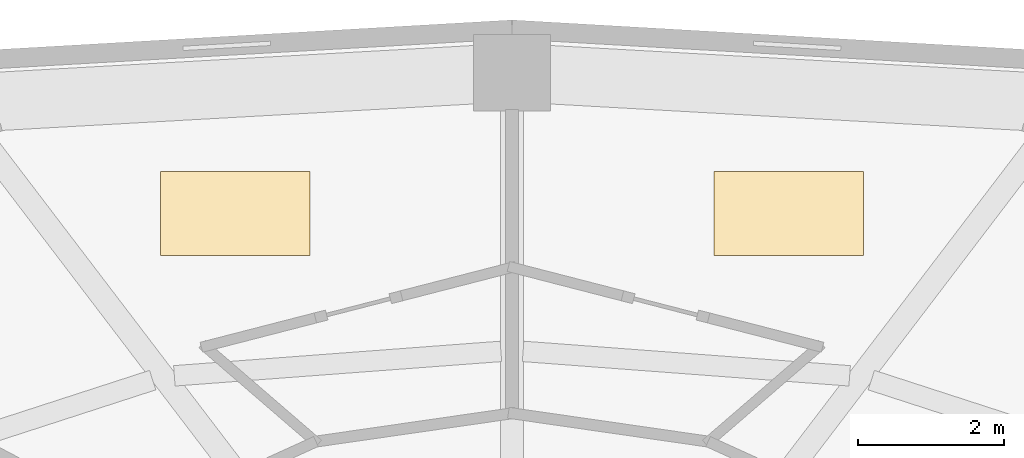
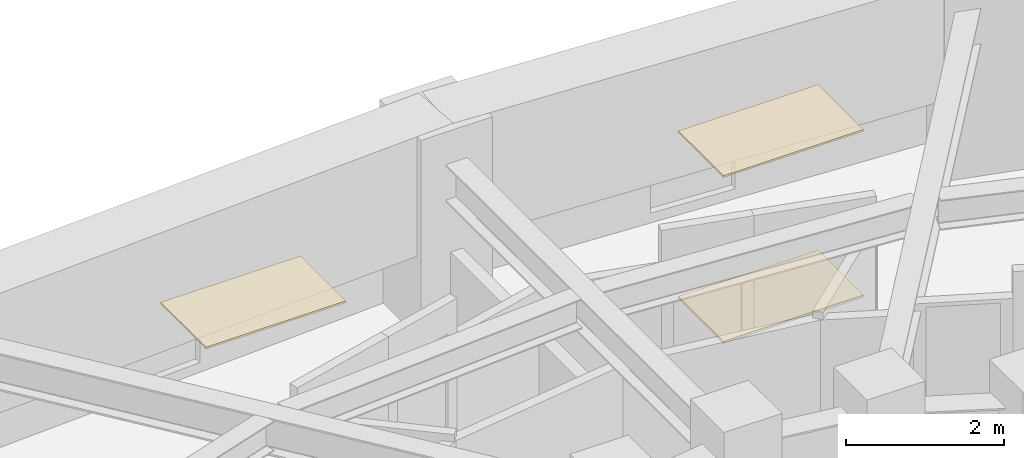
# One storey, part 14 of 14: 3 coverings.
"""IFC4 building model written with IfcOpenShell, lengths in metres."""

from ifc_helpers import new_model, si_unit, direction, frame, origin, place, context, subcontext, project, spatial, polyline, outline, extrude, material, layer, layer_set, type_object, element, save


model = new_model("IFC4")

# Units and contexts
model_context = context("Model", 3, precision=1e-05, world=origin(), true_north=direction((0.0, 1.0)))
body_context = subcontext(model_context, "Body", "Model", "MODEL_VIEW")
ifc_project = project(units=[si_unit("LENGTHUNIT", "METRE"), si_unit("AREAUNIT", "SQUARE_METRE"), si_unit("VOLUMEUNIT", "CUBIC_METRE"), si_unit("PLANEANGLEUNIT", "RADIAN"), si_unit("MASSUNIT", "GRAM", prefix="KILO")], contexts=[model_context])

# Site, building, storey
site_placement = place(None, origin())
site = spatial("IfcSite", under=ifc_project, at=site_placement, CompositionType="ELEMENT")
building_placement = place(site_placement, origin())
building = spatial("IfcBuilding", under=site, at=building_placement, Name="Solvane Sanctuary Tower", CompositionType="ELEMENT")
storey_placement = place(building_placement, frame((0.0, 0.0, 91.800048828125)))
storey = spatial("IfcBuildingStorey", under=building, at=storey_placement, Name="L27", CompositionType="ELEMENT", Elevation=91.800048828125)

# Coverings
ifc_material_1 = material(Name="Acoustic Gypsum Partition Board")
ifc_layer_1 = layer(ifc_material_1, 0.02490234375, Name="Acoustic Gypsum Partition Board")
ifc_layer_set_1 = layer_set([ifc_layer_1], Name="Acoustic Gypsum Partition Board")
covering_type_1 = type_object("IfcCoveringType", Name="Covering CLG-ACOUST", PredefinedType="CEILING", material=ifc_layer_set_1)
covering_1_placement = place(storey_placement, frame((0.0, 0.0, 2.570068359375)))
element("IfcCovering", 1, at=covering_1_placement, inside=storey, type_object=covering_type_1, Name="L27 Unit Acoustic Ceiling Panel 1", PredefinedType="CEILING", context=body_context, shape_type="SweptSolid", body=[
    extrude(outline(polyline([(34.76708984375, 36.575927734375), (36.81689453125, 36.575927734375), (36.81689453125, 37.72607421875), (34.76708984375, 37.72607421875), (34.76708984375, 36.575927734375)])), origin(), (0.0, 0.0, 1.0), 0.02978515625),
])
covering_2_placement = place(storey_placement, frame((0.0, 0.0, 2.570068359375)))
element("IfcCovering", 2, at=covering_2_placement, inside=storey, type_object=covering_type_1, Name="L27 Unit Acoustic Ceiling Panel 2", PredefinedType="CEILING", context=body_context, shape_type="SweptSolid", body=[
    extrude(outline(polyline([(27.18310546875, 36.575927734375), (29.23291015625, 36.575927734375), (29.23291015625, 37.72607421875), (27.18310546875, 37.72607421875), (27.18310546875, 36.575927734375)])), origin(), (0.0, 0.0, 1.0), 0.02978515625),
])
ifc_material_2 = material(Name="Ceramic Tile Finish")
ifc_layer_2 = layer(ifc_material_2, 0.030029296875, Name="Ceramic Tile Finish")
ifc_layer_set_2 = layer_set([ifc_layer_2], Name="Ceramic Tile Finish")
covering_type_2 = type_object("IfcCoveringType", Name="Covering FLR-TERRAZZO", PredefinedType="FLOORING", material=ifc_layer_set_2)
covering_3_placement = place(storey_placement, origin())
element("IfcCovering", 3, at=covering_3_placement, inside=storey, type_object=covering_type_2, Name="L27 Unit Terrazzo Inlay 1", PredefinedType="FLOORING", context=body_context, shape_type="SweptSolid", body=[
    extrude(outline(polyline([(34.76708984375, 36.575927734375), (36.81689453125, 36.575927734375), (36.81689453125, 37.72607421875), (34.76708984375, 37.72607421875), (34.76708984375, 36.575927734375)])), origin(), (0.0, 0.0, 1.0), 0.034912109375),
])

save(model, "model.ifc")
